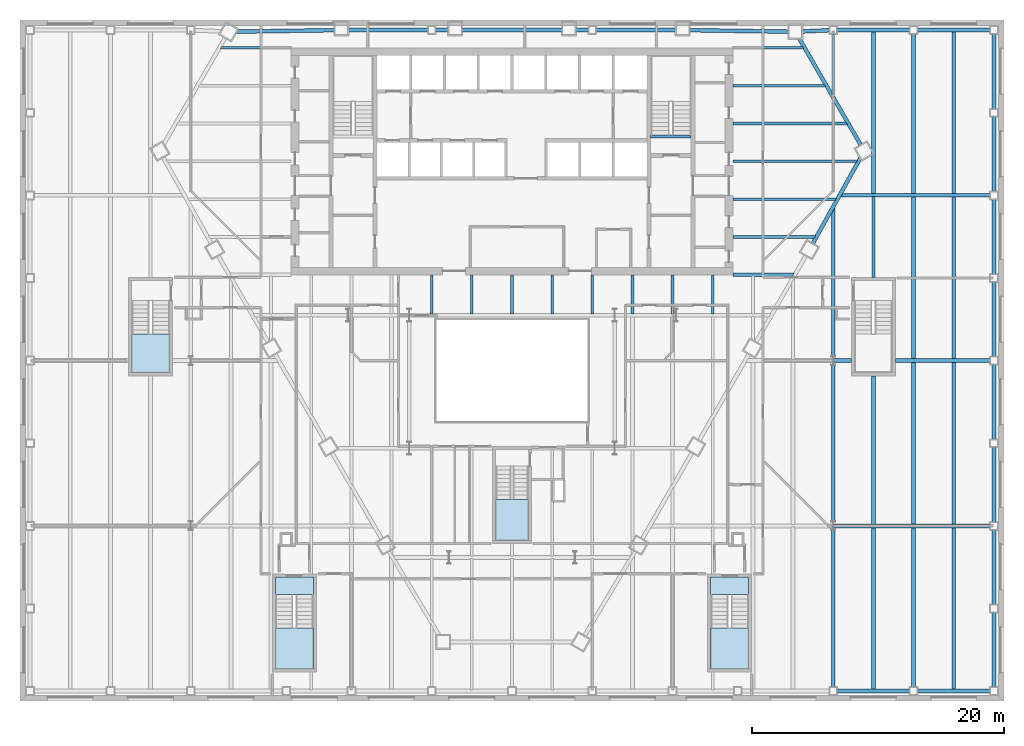
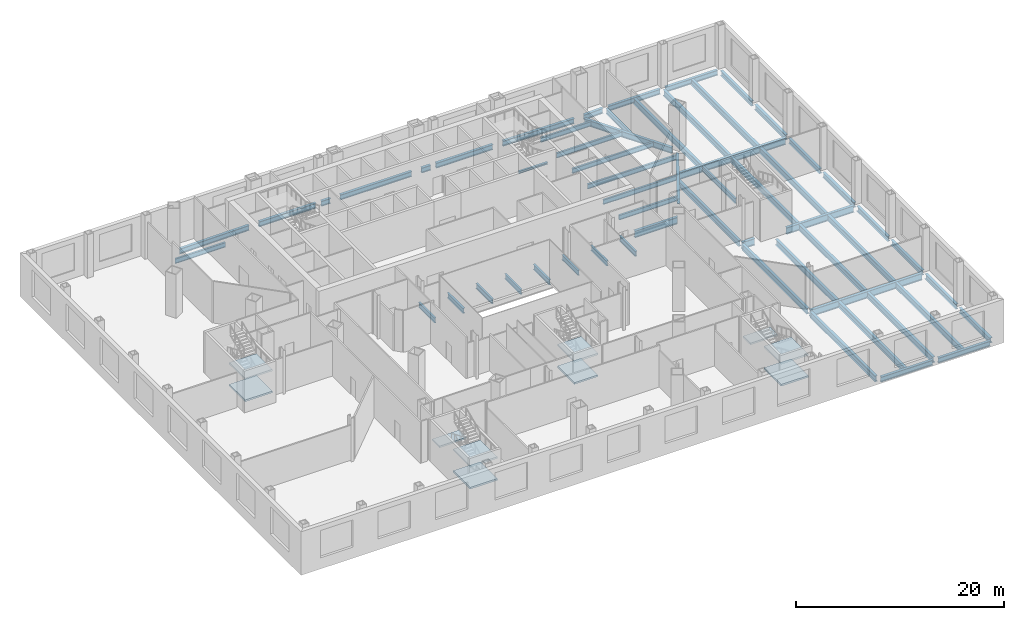
# One storey, part 6 of 20: 59 beams, 10 slabs, 4 elements without a shape of their own.
"""IFC4 building model written with IfcOpenShell, lengths in metres."""

import ifcopenshell
import ifcopenshell.guid

model = None  # the IFC model being written
_history = None  # IfcOwnerHistory: only IFC2X3 demands one
_inside = {}  # id of a spatial element -> (the spatial element, [elements in it])
_under = {}  # id of a project, library or spatial element -> (it, [spatial elements below it])
_declared = {}  # id of a project -> (the project, [libraries it declares])
_typed = {}  # id of a type object -> (the type object, [elements of that type])
_made_of = {}  # id of a material, layer set ... -> (it, [elements and type objects made of it])


def new_model(schema):
    """Start an empty IFC model of exactly this schema.

    Asked for "IFC4X3", IfcOpenShell would pick the latest addendum, in which some entities
    have other attributes; the version numbers below select the first issue.
    IFC2X3 requires an IfcOwnerHistory on every rooted entity: one is made here for all.
    """
    global model, _history
    if schema == "IFC4X3":
        model = ifcopenshell.file(schema_version=(4, 3, 0, 0))
    else:
        model = ifcopenshell.file(schema=schema)
    _inside.clear()
    _under.clear()
    _declared.clear()
    _typed.clear()
    _made_of.clear()
    _history = None
    if model.schema == "IFC2X3":
        org = make("IfcOrganization", Name="unknown")
        user = make(
            "IfcPersonAndOrganization",
            ThePerson=make("IfcPerson", FamilyName="unknown"),
            TheOrganization=org,
        )
        app = make(
            "IfcApplication",
            ApplicationDeveloper=org,
            Version="unknown",
            ApplicationFullName="unknown",
            ApplicationIdentifier="unknown",
        )
        _history = make(
            "IfcOwnerHistory",
            OwningUser=user,
            OwningApplication=app,
            ChangeAction="ADDED",
            CreationDate=0,
        )
    return model


def make(cls, **values):
    """One entity of the class cls with the attributes given. An attribute that is None is left unset."""
    return model.create_entity(
        cls, **{name: value for name, value in values.items() if value is not None}
    )


def rooted(cls, **values):
    """An entity with a GlobalId (a new one), such as an element, a storey or a relation."""
    return make(cls, GlobalId=ifcopenshell.guid.new(), OwnerHistory=_history, **values)


def si_unit(unit_type, name, prefix=None):
    """IfcSIUnit, for example si_unit("LENGTHUNIT", "METRE", prefix="MILLI")."""
    return make("IfcSIUnit", UnitType=unit_type, Prefix=prefix, Name=name)


def assignment(units):
    """IfcUnitAssignment: the units of a project."""
    return None if units is None else make("IfcUnitAssignment", Units=units)


def point(xyz):
    """IfcCartesianPoint."""
    return None if xyz is None else make("IfcCartesianPoint", Coordinates=xyz)


def direction(xyz):
    """IfcDirection."""
    return None if xyz is None else make("IfcDirection", DirectionRatios=xyz)


def frame(location, z_axis=None, x_axis=None):
    """IfcAxis2Placement3D, a coordinate frame: its origin and axes. An axis left out is left unset."""
    return make(
        "IfcAxis2Placement3D",
        Location=point(location),
        Axis=direction(z_axis),
        RefDirection=direction(x_axis),
    )


def frame_2d(location, x_axis=None):
    """IfcAxis2Placement2D, a coordinate frame in the plane: its origin and x axis."""
    return make(
        "IfcAxis2Placement2D", Location=point(location), RefDirection=direction(x_axis)
    )


def origin():
    """The frame at (0, 0, 0) with its axes left unset."""
    return frame((0.0, 0.0, 0.0))


def origin_2d():
    """The frame at (0, 0) in the plane with its x axis left unset."""
    return frame_2d((0.0, 0.0))


def place(relative_to, where):
    """IfcLocalPlacement: puts the frame where relative to a parent placement (None: the world)."""
    return make(
        "IfcLocalPlacement", PlacementRelTo=relative_to, RelativePlacement=where
    )


def context(
    kind, dimensions, precision=None, world=None, true_north=None, identifier=None
):
    """IfcGeometricRepresentationContext, for example the 3D "Model" context."""
    return make(
        "IfcGeometricRepresentationContext",
        ContextIdentifier=identifier,
        ContextType=kind,
        CoordinateSpaceDimension=dimensions,
        Precision=precision,
        WorldCoordinateSystem=world,
        TrueNorth=true_north,
    )


def subcontext(parent, identifier, kind, view, scale=None):
    """IfcGeometricRepresentationSubContext, for example "Body" below "Model"."""
    return make(
        "IfcGeometricRepresentationSubContext",
        ContextIdentifier=identifier,
        ContextType=kind,
        ParentContext=parent,
        TargetScale=scale,
        TargetView=view,
    )


def project(units=None, contexts=None):
    """IfcProject with its units and contexts."""
    return rooted(
        "IfcProject",
        Name="project",
        RepresentationContexts=contexts,
        UnitsInContext=assignment(units),
    )


def spatial(cls, under=None, at=None, **own):
    """A site, building, storey or space (cls), placed at a placement, below another one or the project."""
    s = rooted(cls, ObjectPlacement=at, **own)
    if under is not None:
        _under.setdefault(under.id(), (under, []))[1].append(s)
    return s


def polyline(points):
    """IfcPolyline through the points."""
    return make("IfcPolyline", Points=[point(p) for p in points])


def profile(cls, at=None, kind="AREA", **sizes):
    """A parametric profile (cls). Its sizes go by their IFC names, for example OverallWidth=200.0."""
    return make(cls, ProfileType=kind, Position=at, **sizes)


def i_section(**sizes):
    """IfcIShapeProfileDef."""
    return profile("IfcIShapeProfileDef", **sizes)


def outline(outer, holes=None, kind="AREA"):
    """IfcArbitraryClosedProfileDef: a profile drawn as a closed curve; with holes, ...WithVoids."""
    if holes is None:
        return make("IfcArbitraryClosedProfileDef", ProfileType=kind, OuterCurve=outer)
    return make(
        "IfcArbitraryProfileDefWithVoids",
        ProfileType=kind,
        OuterCurve=outer,
        InnerCurves=holes,
    )


def extrude(swept, where, along, depth):
    """IfcExtrudedAreaSolid: the profile swept, set in the frame where, extruded along a direction by depth."""
    return make(
        "IfcExtrudedAreaSolid",
        SweptArea=swept,
        Position=where,
        ExtrudedDirection=direction(along),
        Depth=depth,
    )


def clip(a, b, op="DIFFERENCE"):
    """IfcBooleanClippingResult: the solid a cut by the half space b."""
    return make(
        "IfcBooleanClippingResult", Operator=op, FirstOperand=a, SecondOperand=b
    )


def halfspace(plane, agree):
    """IfcHalfSpaceSolid: all space on one side of the plane z = 0 of the frame plane."""
    return make(
        "IfcHalfSpaceSolid",
        BaseSurface=make("IfcPlane", Position=plane),
        AgreementFlag=agree,
    )


def shape(context_of_items, identifier, shape_type, items):
    """IfcShapeRepresentation: the items that make up one representation, for example the "Body"."""
    return make(
        "IfcShapeRepresentation",
        ContextOfItems=context_of_items,
        RepresentationIdentifier=identifier,
        RepresentationType=shape_type,
        Items=items,
    )


def material(Name=None, Category=None):
    """IfcMaterial."""
    return make("IfcMaterial", Name=Name, Category=Category)


def layer(
    of_material, thickness, ventilated=None, Name=None, Category=None, Priority=None
):
    """IfcMaterialLayer: one layer of a wall or slab, of a material (None: an air gap)."""
    return make(
        "IfcMaterialLayer",
        Material=of_material,
        LayerThickness=thickness,
        IsVentilated=ventilated,
        Name=Name,
        Category=Category,
        Priority=Priority,
    )


def layer_set(layers, Name=None):
    """IfcMaterialLayerSet."""
    return make("IfcMaterialLayerSet", MaterialLayers=layers, LayerSetName=Name)


def material_profile(
    of_material, cross_section, Name=None, Category=None, Priority=None
):
    """IfcMaterialProfile: a cross section and its material."""
    return make(
        "IfcMaterialProfile",
        Name=Name,
        Material=of_material,
        Profile=cross_section,
        Priority=Priority,
        Category=Category,
    )


def profile_set(profiles, Name=None, composite=None):
    """IfcMaterialProfileSet."""
    return make(
        "IfcMaterialProfileSet",
        Name=Name,
        MaterialProfiles=profiles,
        CompositeProfile=composite,
    )


def made_of(thing, what):
    """Note that an element or type object is made of a material, layer set ...; save() writes the relation."""
    if what is not None:
        _made_of.setdefault(what.id(), (what, []))[1].append(thing)
    return thing


def type_object(cls, material=None, **own):
    """A type object (cls), such as IfcWallType, which elements share."""
    return made_of(rooted(cls, **own), material)


def element(
    cls,
    number,
    at=None,
    inside=None,
    cuts=None,
    type_object=None,
    material=None,
    context=None,
    identifier="Body",
    shape_type=None,
    held_by="IfcProductDefinitionShape",
    body=None,
    shapes=None,
    **own,
):
    """One element of the class cls, such as IfcWall. Its Tag is "e" and its number.

    at: its placement. inside: the storey or other place that contains it. cuts: it is an
    opening in that element (IfcRelVoidsElement). A single representation is given by context,
    identifier, shape_type and body (its items); several are given by shapes. held_by: the class
    of the entity that holds the representations. save() writes the other relations.
    """
    e = rooted(cls, Tag="e%d" % number, ObjectPlacement=at, **own)
    if body is not None:
        shapes = [shape(context, identifier, shape_type, body)]
    if shapes is not None:
        e.Representation = make(held_by, Representations=shapes)
    if inside is not None:
        _inside.setdefault(inside.id(), (inside, []))[1].append(e)
    if cuts is not None:
        rooted(
            "IfcRelVoidsElement", RelatingBuildingElement=cuts, RelatedOpeningElement=e
        )
    if type_object is not None:
        _typed.setdefault(type_object.id(), (type_object, []))[1].append(e)
    return made_of(e, material)


def aggregate(whole, parts):
    """IfcRelAggregates: a whole, such as a stair, and the parts it consists of."""
    return rooted("IfcRelAggregates", RelatingObject=whole, RelatedObjects=parts)


def save(model, path):
    """Write the relations noted so far, then the file.

    IfcRelAggregates (storeys below a building ...), IfcRelContainedInSpatialStructure (elements
    in a storey), IfcRelDefinesByType, IfcRelAssociatesMaterial and IfcRelDeclares: one each for
    every whole, place, type object, material and project.
    """
    for whole, parts in _under.values():
        aggregate(whole, parts)
    for where, things in _inside.values():
        rooted(
            "IfcRelContainedInSpatialStructure",
            RelatedElements=things,
            RelatingStructure=where,
        )
    for kind, things in _typed.values():
        rooted("IfcRelDefinesByType", RelatedObjects=things, RelatingType=kind)
    for what, things in _made_of.values():
        rooted("IfcRelAssociatesMaterial", RelatedObjects=things, RelatingMaterial=what)
    for by, libraries in _declared.values():
        rooted("IfcRelDeclares", RelatingContext=by, RelatedDefinitions=libraries)
    model.write(path)


model = new_model("IFC4")

# Units and contexts
model_context = context("Model", 3, precision=1e-05, world=origin(), true_north=direction((0.0, 1.0)))
body_context = subcontext(model_context, "Body", "Model", "MODEL_VIEW")
ifc_project = project(units=[si_unit("LENGTHUNIT", "METRE"), si_unit("AREAUNIT", "SQUARE_METRE"), si_unit("VOLUMEUNIT", "CUBIC_METRE"), si_unit("PLANEANGLEUNIT", "RADIAN"), si_unit("MASSUNIT", "GRAM", prefix="KILO")], contexts=[model_context])

# Site, building, storey
site_placement = place(None, origin())
site = spatial("IfcSite", under=ifc_project, at=site_placement, CompositionType="ELEMENT")
building_placement = place(site_placement, origin())
building = spatial("IfcBuilding", under=site, at=building_placement, Name="Njiva Tower", CompositionType="ELEMENT")
storey_placement = place(building_placement, frame((0.0, 0.0, 18.6)))
storey = spatial("IfcBuildingStorey", under=building, at=storey_placement, Name="L03", CompositionType="ELEMENT", Elevation=18.6)

# Beams
ifc_material_1 = material(Name="Steel S355 J2", Category="steel")
ifc_material_profile_1 = material_profile(ifc_material_1, i_section(OverallWidth=0.3, OverallDepth=0.69, WebThickness=0.0145, FlangeThickness=0.027, at=origin_2d()), Name="HEA 700")
ifc_profile_set_1 = profile_set([ifc_material_profile_1], Name="Steel S355 J2")
beam_type_1 = type_object("IfcBeamType", Name="B1 Long-span spandrel beam HEA 700", PredefinedType="SPANDREL", material=ifc_profile_set_1)
beam_1_placement = place(storey_placement, frame((27.648, 10.284, -0.565), z_axis=(-0.500015802937, 0.866016279763, 0.0), x_axis=(-0.866016279763, -0.500015802937, 0.0)))
element("IfcBeam", 1, at=beam_1_placement, inside=storey, type_object=beam_type_1, Name="Long-span spandrel beam L03-B173", PredefinedType="SPANDREL", context=body_context, shape_type="Clipping", body=[
    clip(extrude(i_section(OverallWidth=0.3, OverallDepth=0.69, WebThickness=0.0145, FlangeThickness=0.027, at=origin_2d()), origin(), (0.0, 0.0, 1.0), 9.8447), halfspace(frame((-0.0248, 0.0, 9.7234), z_axis=(-0.500015802937, 0.0, 0.866016279763), x_axis=(0.0, 1.0, 0.0)), False)),
])
ifc_material_profile_2 = material_profile(ifc_material_1, i_section(OverallWidth=0.21, OverallDepth=0.55, WebThickness=0.0111, FlangeThickness=0.0172, at=origin_2d()), Name="IPE 550")
ifc_profile_set_2 = profile_set([ifc_material_profile_2], Name="Steel S355 J2")
beam_type_2 = type_object("IfcBeamType", Name="B10 Floor beam to the core IPE 550", PredefinedType="BEAM", material=ifc_profile_set_2)
beam_2_placement = place(storey_placement, frame((17.5, 3.0, -0.495), z_axis=(1.0, 0.0, 0.0), x_axis=(0.0, 1.0, 0.0)))
element("IfcBeam", 2, at=beam_2_placement, inside=storey, type_object=beam_type_2, Name="Floor beam to the core L03-B007", PredefinedType="BEAM", context=body_context, shape_type="Clipping", body=[
    clip(extrude(i_section(OverallWidth=0.21, OverallDepth=0.55, WebThickness=0.0111, FlangeThickness=0.0172, at=origin_2d()), origin(), (0.0, 0.0, 1.0), 6.591), halfspace(frame((-0.0244, 0.0, 6.4981), z_axis=(-0.487051738924, 0.0, 0.87337311821), x_axis=(0.0, 1.0, 0.0)), False)),
])
beam_3_placement = place(storey_placement, frame((17.5, 6.0, -0.495), z_axis=(1.0, 0.0, 0.0), x_axis=(0.0, 1.0, 0.0)))
element("IfcBeam", 3, at=beam_3_placement, inside=storey, type_object=beam_type_2, Name="Floor beam to the core L03-B008", PredefinedType="BEAM", context=body_context, shape_type="Clipping", body=[
    clip(extrude(i_section(OverallWidth=0.21, OverallDepth=0.55, WebThickness=0.0111, FlangeThickness=0.0172, at=origin_2d()), origin(), (0.0, 0.0, 1.0), 8.264), halfspace(frame((-0.0244, 0.0, 8.171), z_axis=(-0.487051738924, 0.0, 0.87337311821), x_axis=(0.0, 1.0, 0.0)), False)),
])
beam_4_placement = place(storey_placement, frame((17.5, 12.0, -0.495), z_axis=(1.0, 0.0, 0.0), x_axis=(0.0, 1.0, 0.0)))
element("IfcBeam", 4, at=beam_4_placement, inside=storey, type_object=beam_type_2, Name="Floor beam to the core L03-B010", PredefinedType="BEAM", context=body_context, shape_type="Clipping", body=[
    clip(extrude(i_section(OverallWidth=0.21, OverallDepth=0.55, WebThickness=0.0111, FlangeThickness=0.0172, at=origin_2d()), origin(), (0.0, 0.0, 1.0), 9.122), halfspace(frame((0.025, 0.0, 9.0269), z_axis=(0.499998009787, 0.0, 0.866026552831), x_axis=(0.0, 1.0, 0.0)), False)),
])
beam_5_placement = place(storey_placement, frame((17.5, 15.0, -0.495), z_axis=(1.0, 0.0, 0.0), x_axis=(0.0, 1.0, 0.0)))
element("IfcBeam", 5, at=beam_5_placement, inside=storey, type_object=beam_type_2, Name="Floor beam to the core L03-B011", PredefinedType="BEAM", context=body_context, shape_type="Clipping", body=[
    clip(extrude(i_section(OverallWidth=0.21, OverallDepth=0.55, WebThickness=0.0111, FlangeThickness=0.0172, at=origin_2d()), origin(), (0.0, 0.0, 1.0), 7.39), halfspace(frame((0.025, 0.0, 7.2949), z_axis=(0.499998009787, 0.0, 0.866026552831), x_axis=(0.0, 1.0, 0.0)), False)),
])
beam_6_placement = place(storey_placement, frame((-23.158, 18.0, -0.495), z_axis=(1.0, 0.0, 0.0), x_axis=(0.0, 1.0, 0.0)))
element("IfcBeam", 6, at=beam_6_placement, inside=storey, type_object=beam_type_2, Name="Floor beam to the core L03-B006", PredefinedType="BEAM", context=body_context, shape_type="Clipping", body=[
    clip(extrude(i_section(OverallWidth=0.21, OverallDepth=0.55, WebThickness=0.0111, FlangeThickness=0.0172, at=origin_2d()), origin(), (0.0, 0.0, 1.0), 5.658), halfspace(frame((0.025, 0.0, 0.0952), z_axis=(0.499998009787, 0.0, -0.866026552831), x_axis=(0.0, -1.0, 0.0)), False)),
])
beam_7_placement = place(storey_placement, frame((17.5, 18.0, -0.495), z_axis=(1.0, 0.0, 0.0), x_axis=(0.0, 1.0, 0.0)))
element("IfcBeam", 7, at=beam_7_placement, inside=storey, type_object=beam_type_2, Name="Floor beam to the core L03-B012", PredefinedType="BEAM", context=body_context, shape_type="Clipping", body=[
    clip(extrude(i_section(OverallWidth=0.21, OverallDepth=0.55, WebThickness=0.0111, FlangeThickness=0.0172, at=origin_2d()), origin(), (0.0, 0.0, 1.0), 5.658), halfspace(frame((0.025, 0.0, 5.5628), z_axis=(0.499998009787, 0.0, 0.866026552831), x_axis=(0.0, 1.0, 0.0)), False)),
])
ifc_material_profile_3 = material_profile(ifc_material_1, i_section(OverallWidth=0.21, OverallDepth=0.55, WebThickness=0.0111, FlangeThickness=0.0172, at=origin_2d()), Name="IPE 550")
ifc_profile_set_3 = profile_set([ifc_material_profile_3], Name="Steel S355 J2")
beam_type_3 = type_object("IfcBeamType", Name="B11 Long-span floor beam to the core IPE 550", PredefinedType="BEAM", material=ifc_profile_set_3)
beam_8_placement = place(storey_placement, frame((17.5, 9.0, -0.495), z_axis=(1.0, 0.0, 0.0), x_axis=(0.0, 1.0, 0.0)))
element("IfcBeam", 8, at=beam_8_placement, inside=storey, type_object=beam_type_3, Name="Long-span floor beam to the core L03-B009", PredefinedType="BEAM", context=body_context, shape_type="Clipping", body=[
    clip(extrude(i_section(OverallWidth=0.21, OverallDepth=0.55, WebThickness=0.0111, FlangeThickness=0.0172, at=origin_2d()), origin(), (0.0, 0.0, 1.0), 9.937), halfspace(frame((-0.0244, 0.0, 9.844), z_axis=(-0.487051738924, 0.0, 0.87337311821), x_axis=(0.0, 1.0, 0.0)), False)),
])
ifc_material_profile_4 = material_profile(ifc_material_1, i_section(OverallWidth=0.3, OverallDepth=0.69, WebThickness=0.0145, FlangeThickness=0.027, at=origin_2d()), Name="HEA 700")
ifc_profile_set_4 = profile_set([ifc_material_profile_4], Name="Steel S355 J2")
beam_type_4 = type_object("IfcBeamType", Name="B12 Long-span floor joist HEA 700", PredefinedType="JOIST", material=ifc_profile_set_4)
beam_9_placement = place(storey_placement, frame((25.467, 5.288, -0.565), z_axis=(0.0, -1.0, 0.0), x_axis=(1.0, 0.0, 0.0)))
element("IfcBeam", 9, at=beam_9_placement, inside=storey, type_object=beam_type_4, Name="Long-span floor joist L03-B116", PredefinedType="JOIST", context=body_context, shape_type="SweptSolid", body=[
    extrude(i_section(OverallWidth=0.3, OverallDepth=0.69, WebThickness=0.0145, FlangeThickness=0.027, at=origin_2d()), origin(), (0.0, 0.0, 1.0), 11.78),
])
beam_10_placement = place(storey_placement, frame((25.467, -7.108, -0.565), z_axis=(0.0, -1.0, 0.0), x_axis=(1.0, 0.0, 0.0)))
element("IfcBeam", 10, at=beam_10_placement, inside=storey, type_object=beam_type_4, Name="Long-span floor joist L03-B115", PredefinedType="JOIST", context=body_context, shape_type="SweptSolid", body=[
    extrude(i_section(OverallWidth=0.3, OverallDepth=0.69, WebThickness=0.0145, FlangeThickness=0.027, at=origin_2d()), origin(), (0.0, 0.0, 1.0), 12.484),
])
beam_11_placement = place(storey_placement, frame((25.467, -20.208, -0.565), z_axis=(0.0, -1.0, 0.0), x_axis=(1.0, 0.0, 0.0)))
element("IfcBeam", 11, at=beam_11_placement, inside=storey, type_object=beam_type_4, Name="Long-span floor joist L03-B114", PredefinedType="JOIST", context=body_context, shape_type="SweptSolid", body=[
    extrude(i_section(OverallWidth=0.3, OverallDepth=0.69, WebThickness=0.0145, FlangeThickness=0.027, at=origin_2d()), origin(), (0.0, 0.0, 1.0), 12.492),
])
beam_12_placement = place(storey_placement, frame((28.65, 19.3, -0.565), z_axis=(0.0, -1.0, 0.0), x_axis=(1.0, 0.0, 0.0)))
element("IfcBeam", 12, at=beam_12_placement, inside=storey, type_object=beam_type_4, Name="Long-span floor joist L03-B121", PredefinedType="JOIST", context=body_context, shape_type="SweptSolid", body=[
    extrude(i_section(OverallWidth=0.3, OverallDepth=0.69, WebThickness=0.0145, FlangeThickness=0.027, at=origin_2d()), origin(), (0.0, 0.0, 1.0), 12.9),
])
beam_13_placement = place(storey_placement, frame((28.65, -8.0, -0.565), z_axis=(0.0, -1.0, 0.0), x_axis=(1.0, 0.0, 0.0)))
element("IfcBeam", 13, at=beam_13_placement, inside=storey, type_object=beam_type_4, Name="Long-span floor joist L03-B119", PredefinedType="JOIST", context=body_context, shape_type="SweptSolid", body=[
    extrude(i_section(OverallWidth=0.3, OverallDepth=0.69, WebThickness=0.0145, FlangeThickness=0.027, at=origin_2d()), origin(), (0.0, 0.0, 1.0), 11.8),
])
beam_14_placement = place(storey_placement, frame((28.65, -20.0, -0.565), z_axis=(0.0, -1.0, 0.0), x_axis=(1.0, 0.0, 0.0)))
element("IfcBeam", 14, at=beam_14_placement, inside=storey, type_object=beam_type_4, Name="Long-span floor joist L03-B118", PredefinedType="JOIST", context=body_context, shape_type="SweptSolid", body=[
    extrude(i_section(OverallWidth=0.3, OverallDepth=0.69, WebThickness=0.0145, FlangeThickness=0.027, at=origin_2d()), origin(), (0.0, 0.0, 1.0), 12.9),
])
beam_15_placement = place(storey_placement, frame((31.833, 19.1, -0.565), z_axis=(0.0, -1.0, 0.0), x_axis=(1.0, 0.0, 0.0)))
element("IfcBeam", 15, at=beam_15_placement, inside=storey, type_object=beam_type_4, Name="Long-span floor joist L03-B125", PredefinedType="JOIST", context=body_context, shape_type="SweptSolid", body=[
    extrude(i_section(OverallWidth=0.3, OverallDepth=0.69, WebThickness=0.0145, FlangeThickness=0.027, at=origin_2d()), origin(), (0.0, 0.0, 1.0), 12.7),
])
for number, where, z_axis, x_axis, name in (
    (16, (31.833, 6.2, -0.565), (0.0, -1.0, 0.0), (1.0, 0.0, 0.0), "Long-span floor joist L03-B124"),
    (17, (31.833, -6.9, -0.565), (0.0, -1.0, 0.0), (1.0, 0.0, 0.0), "Long-span floor joist L03-B123"),
):
    element("IfcBeam", number, at=place(storey_placement, frame(where, z_axis=z_axis, x_axis=x_axis)), inside=storey, type_object=beam_type_4, Name=name, PredefinedType="JOIST", context=body_context, shape_type="SweptSolid", body=[
        extrude(i_section(OverallWidth=0.3, OverallDepth=0.69, WebThickness=0.0145, FlangeThickness=0.027, at=origin_2d()), origin(), (0.0, 0.0, 1.0), 12.9),
    ])
beam_16_placement = place(storey_placement, frame((31.833, -20.0, -0.565), z_axis=(0.0, -1.0, 0.0), x_axis=(1.0, 0.0, 0.0)))
element("IfcBeam", 18, at=beam_16_placement, inside=storey, type_object=beam_type_4, Name="Long-span floor joist L03-B122", PredefinedType="JOIST", context=body_context, shape_type="SweptSolid", body=[
    extrude(i_section(OverallWidth=0.3, OverallDepth=0.69, WebThickness=0.0145, FlangeThickness=0.027, at=origin_2d()), origin(), (0.0, 0.0, 1.0), 12.7),
])
for number, where, z_axis, x_axis, name in (
    (19, (35.017, 19.3, -0.565), (0.0, -1.0, 0.0), (1.0, 0.0, 0.0), "Long-span floor joist L03-B129"),
    (20, (35.017, 6.2, -0.565), (0.0, -1.0, 0.0), (1.0, 0.0, 0.0), "Long-span floor joist L03-B128"),
    (21, (35.017, -6.9, -0.565), (0.0, -1.0, 0.0), (1.0, 0.0, 0.0), "Long-span floor joist L03-B127"),
    (22, (35.017, -20.0, -0.565), (0.0, -1.0, 0.0), (1.0, 0.0, 0.0), "Long-span floor joist L03-B126"),
):
    element("IfcBeam", number, at=place(storey_placement, frame(where, z_axis=z_axis, x_axis=x_axis)), inside=storey, type_object=beam_type_4, Name=name, PredefinedType="JOIST", context=body_context, shape_type="SweptSolid", body=[
        extrude(i_section(OverallWidth=0.3, OverallDepth=0.69, WebThickness=0.0145, FlangeThickness=0.027, at=origin_2d()), origin(), (0.0, 0.0, 1.0), 12.9),
    ])
ifc_material_profile_5 = material_profile(ifc_material_1, i_section(OverallWidth=0.22, OverallDepth=0.6, WebThickness=0.012, FlangeThickness=0.019, at=origin_2d()), Name="IPE 600")
ifc_profile_set_5 = profile_set([ifc_material_profile_5], Name="Steel S355 J2")
beam_type_5 = type_object("IfcBeamType", Name="B13 Floor joist IPE 600", PredefinedType="JOIST", material=ifc_profile_set_5)
beam_17_placement = place(storey_placement, frame((25.467, 19.1, -0.52), z_axis=(0.0, -1.0, 0.0), x_axis=(1.0, 0.0, 0.0)))
element("IfcBeam", 23, at=beam_17_placement, inside=storey, type_object=beam_type_5, Name="Floor joist L03-B117", PredefinedType="JOIST", context=body_context, shape_type="SweptSolid", body=[
    extrude(i_section(OverallWidth=0.22, OverallDepth=0.6, WebThickness=0.012, FlangeThickness=0.019, at=origin_2d()), origin(), (0.0, 0.0, 1.0), 4.772),
])
beam_18_placement = place(storey_placement, frame((28.65, 6.2, -0.52), z_axis=(0.0, -1.0, 0.0), x_axis=(1.0, 0.0, 0.0)))
element("IfcBeam", 24, at=beam_18_placement, inside=storey, type_object=beam_type_5, Name="Floor joist L03-B120", PredefinedType="JOIST", context=body_context, shape_type="SweptSolid", body=[
    extrude(i_section(OverallWidth=0.22, OverallDepth=0.6, WebThickness=0.012, FlangeThickness=0.019, at=origin_2d()), origin(), (0.0, 0.0, 1.0), 6.4),
])
ifc_material_profile_6 = material_profile(ifc_material_1, i_section(OverallWidth=0.22, OverallDepth=0.6, WebThickness=0.012, FlangeThickness=0.019, at=origin_2d()), Name="IPE 600")
ifc_profile_set_6 = profile_set([ifc_material_profile_6], Name="Steel S355 J2")
beam_type_6 = type_object("IfcBeamType", Name="B14 Short-span floor joist IPE 600", PredefinedType="JOIST", material=ifc_profile_set_6)
for number, where, z_axis, x_axis, name in (
    (25, (-6.367, -0.005, -0.52), (0.0, -1.0, 0.0), (1.0, 0.0, 0.0), "Short-span floor joist L03-B076"),
    (26, (-3.183, -0.005, -0.52), (0.0, -1.0, 0.0), (1.0, 0.0, 0.0), "Short-span floor joist L03-B080"),
    (27, (0.0, -0.005, -0.52), (0.0, -1.0, 0.0), (1.0, 0.0, 0.0), "Short-span floor joist L03-B084"),
    (28, (3.183, -0.005, -0.52), (0.0, -1.0, 0.0), (1.0, 0.0, 0.0), "Short-span floor joist L03-B088"),
    (29, (6.367, -0.005, -0.52), (0.0, -1.0, 0.0), (1.0, 0.0, 0.0), "Short-span floor joist L03-B092"),
):
    element("IfcBeam", number, at=place(storey_placement, frame(where, z_axis=z_axis, x_axis=x_axis)), inside=storey, type_object=beam_type_6, Name=name, PredefinedType="JOIST", context=body_context, shape_type="SweptSolid", body=[
        extrude(i_section(OverallWidth=0.22, OverallDepth=0.6, WebThickness=0.012, FlangeThickness=0.019, at=origin_2d()), origin(), (0.0, 0.0, 1.0), 3.094),
    ])
for number, where, z_axis, x_axis, name in (
    (30, (9.55, -0.005, -0.52), (0.0, -1.0, 0.0), (1.0, 0.0, 0.0), "Short-span floor joist L03-B096"),
    (31, (12.733, -0.005, -0.52), (0.0, -1.0, 0.0), (1.0, 0.0, 0.0), "Short-span floor joist L03-B101"),
    (32, (15.917, -0.005, -0.52), (0.0, -1.0, 0.0), (1.0, 0.0, 0.0), "Short-span floor joist L03-B106"),
):
    element("IfcBeam", number, at=place(storey_placement, frame(where, z_axis=z_axis, x_axis=x_axis)), inside=storey, type_object=beam_type_6, Name=name, PredefinedType="JOIST", context=body_context, shape_type="SweptSolid", body=[
        extrude(i_section(OverallWidth=0.22, OverallDepth=0.6, WebThickness=0.012, FlangeThickness=0.019, at=origin_2d()), origin(), (0.0, 0.0, 1.0), 3.095),
    ])
ifc_material_profile_7 = material_profile(ifc_material_1, i_section(OverallWidth=0.3, OverallDepth=0.6, WebThickness=0.0155, FlangeThickness=0.03, at=origin_2d()), Name="HEB 600")
ifc_profile_set_7 = profile_set([ifc_material_profile_7], Name="Steel S355 J2")
beam_type_7 = type_object("IfcBeamType", Name="B2 Spandrel beam HEB 600", PredefinedType="SPANDREL", material=ifc_profile_set_7)
beam_19_placement = place(storey_placement, frame((23.837, 2.482, -0.52), z_axis=(0.487077780218, 0.873358595319, 0.0), x_axis=(-0.873358595319, 0.487077780218, 0.0)))
element("IfcBeam", 33, at=beam_19_placement, inside=storey, type_object=beam_type_7, Name="Spandrel beam L03-B175", PredefinedType="SPANDREL", context=body_context, shape_type="Clipping", body=[
    clip(extrude(i_section(OverallWidth=0.3, OverallDepth=0.6, WebThickness=0.0155, FlangeThickness=0.03, at=origin_2d()), origin(), (0.0, 0.0, 1.0), 7.8582), halfspace(frame((-0.0257, 0.0, 7.7326), z_axis=(-0.51281381297, 0.0, 0.858499850453), x_axis=(0.0, 1.0, 0.0)), False)),
])
for number, where, z_axis, x_axis, name in (
    (34, (38.2, -32.7, -0.52), (0.0, 1.0, 0.0), (-1.0, 0.0, 0.0), "Spandrel beam L03-B180"),
    (35, (38.2, -26.15, -0.52), (0.0, 1.0, 0.0), (-1.0, 0.0, 0.0), "Spandrel beam L03-B181"),
    (36, (38.2, -19.6, -0.52), (0.0, 1.0, 0.0), (-1.0, 0.0, 0.0), "Spandrel beam L03-B182"),
    (37, (38.2, -13.05, -0.52), (0.0, 1.0, 0.0), (-1.0, 0.0, 0.0), "Spandrel beam L03-B183"),
    (38, (38.2, -6.5, -0.52), (0.0, 1.0, 0.0), (-1.0, 0.0, 0.0), "Spandrel beam L03-B184"),
    (39, (38.2, 0.05, -0.52), (0.0, 1.0, 0.0), (-1.0, 0.0, 0.0), "Spandrel beam L03-B185"),
    (40, (38.2, 6.6, -0.52), (0.0, 1.0, 0.0), (-1.0, 0.0, 0.0), "Spandrel beam L03-B186"),
    (41, (38.2, 13.15, -0.52), (0.0, 1.0, 0.0), (-1.0, 0.0, 0.0), "Spandrel beam L03-B187"),
):
    element("IfcBeam", number, at=place(storey_placement, frame(where, z_axis=z_axis, x_axis=x_axis)), inside=storey, type_object=beam_type_7, Name=name, PredefinedType="SPANDREL", context=body_context, shape_type="SweptSolid", body=[
        extrude(i_section(OverallWidth=0.3, OverallDepth=0.6, WebThickness=0.0155, FlangeThickness=0.03, at=origin_2d()), origin(), (0.0, 0.0, 1.0), 5.95),
    ])
beam_20_placement = place(storey_placement, frame((25.767, -33.0, -0.52), z_axis=(1.0, 0.0, 0.0), x_axis=(0.0, 1.0, 0.0)))
element("IfcBeam", 42, at=beam_20_placement, inside=storey, type_object=beam_type_7, Name="Spandrel beam L03-B176", PredefinedType="SPANDREL", context=body_context, shape_type="SweptSolid", body=[
    extrude(i_section(OverallWidth=0.3, OverallDepth=0.6, WebThickness=0.0155, FlangeThickness=0.03, at=origin_2d()), origin(), (0.0, 0.0, 1.0), 5.766),
])
beam_21_placement = place(storey_placement, frame((32.133, -33.0, -0.52), z_axis=(1.0, 0.0, 0.0), x_axis=(0.0, 1.0, 0.0)))
element("IfcBeam", 43, at=beam_21_placement, inside=storey, type_object=beam_type_7, Name="Spandrel beam L03-B178", PredefinedType="SPANDREL", context=body_context, shape_type="SweptSolid", body=[
    extrude(i_section(OverallWidth=0.3, OverallDepth=0.6, WebThickness=0.0155, FlangeThickness=0.03, at=origin_2d()), origin(), (0.0, 0.0, 1.0), 5.767),
])
beam_22_placement = place(storey_placement, frame((-21.93, 19.2744, -0.52), z_axis=(0.99988785754, 0.014975725174, 0.0), x_axis=(-0.014975725174, 0.99988785754, 0.0)))
element("IfcBeam", 44, at=beam_22_placement, inside=storey, type_object=beam_type_7, Name="Spandrel beam L03-B151", PredefinedType="SPANDREL", context=body_context, shape_type="Clipping", body=[
    clip(extrude(i_section(OverallWidth=0.3, OverallDepth=0.6, WebThickness=0.0155, FlangeThickness=0.03, at=origin_2d()), origin(), (0.0, 0.0, 1.0), 7.8559), halfspace(frame((0.0261, 0.0, 0.1249), z_axis=(0.512911314429, 0.0, -0.858441601701), x_axis=(0.0, -1.0, 0.0)), False)),
])
beam_23_placement = place(storey_placement, frame((-12.973, 19.4, -0.52), z_axis=(1.0, 0.0, 0.0), x_axis=(0.0, 1.0, 0.0)))
element("IfcBeam", 45, at=beam_23_placement, inside=storey, type_object=beam_type_7, Name="Spandrel beam L03-B155", PredefinedType="SPANDREL", context=body_context, shape_type="SweptSolid", body=[
    extrude(i_section(OverallWidth=0.3, OverallDepth=0.6, WebThickness=0.0155, FlangeThickness=0.03, at=origin_2d()), origin(), (0.0, 0.0, 1.0), 6.306),
])
beam_24_placement = place(storey_placement, frame((-3.958, 19.4, -0.52), z_axis=(1.0, 0.0, 0.0), x_axis=(0.0, 1.0, 0.0)))
element("IfcBeam", 46, at=beam_24_placement, inside=storey, type_object=beam_type_7, Name="Spandrel beam L03-B161", PredefinedType="SPANDREL", context=body_context, shape_type="SweptSolid", body=[
    extrude(i_section(OverallWidth=0.3, OverallDepth=0.6, WebThickness=0.0155, FlangeThickness=0.03, at=origin_2d()), origin(), (0.0, 0.0, 1.0), 7.916),
])
beam_25_placement = place(storey_placement, frame((6.667, 19.4, -0.52), z_axis=(1.0, 0.0, 0.0), x_axis=(0.0, 1.0, 0.0)))
element("IfcBeam", 47, at=beam_25_placement, inside=storey, type_object=beam_type_7, Name="Spandrel beam L03-B166", PredefinedType="SPANDREL", context=body_context, shape_type="SweptSolid", body=[
    extrude(i_section(OverallWidth=0.3, OverallDepth=0.6, WebThickness=0.0155, FlangeThickness=0.03, at=origin_2d()), origin(), (0.0, 0.0, 1.0), 6.306),
])
beam_26_placement = place(storey_placement, frame((14.075, 19.392, -0.52), z_axis=(0.999888493047, -0.014933233812, 0.0), x_axis=(0.014933233812, 0.999888493047, 0.0)))
element("IfcBeam", 48, at=beam_26_placement, inside=storey, type_object=beam_type_7, Name="Spandrel beam L03-B169", PredefinedType="SPANDREL", context=body_context, shape_type="SweptSolid", body=[
    extrude(i_section(OverallWidth=0.3, OverallDepth=0.6, WebThickness=0.0155, FlangeThickness=0.03, at=origin_2d()), origin(), (0.0, 0.0, 1.0), 7.8349),
])
beam_27_placement = place(storey_placement, frame((25.767, 19.4, -0.52), z_axis=(1.0, 0.0, 0.0), x_axis=(0.0, 1.0, 0.0)))
element("IfcBeam", 49, at=beam_27_placement, inside=storey, type_object=beam_type_7, Name="Spandrel beam L03-B177", PredefinedType="SPANDREL", context=body_context, shape_type="SweptSolid", body=[
    extrude(i_section(OverallWidth=0.3, OverallDepth=0.6, WebThickness=0.0155, FlangeThickness=0.03, at=origin_2d()), origin(), (0.0, 0.0, 1.0), 5.766),
])
beam_28_placement = place(storey_placement, frame((32.133, 19.4, -0.52), z_axis=(1.0, 0.0, 0.0), x_axis=(0.0, 1.0, 0.0)))
element("IfcBeam", 50, at=beam_28_placement, inside=storey, type_object=beam_type_7, Name="Spandrel beam L03-B179", PredefinedType="SPANDREL", context=body_context, shape_type="SweptSolid", body=[
    extrude(i_section(OverallWidth=0.3, OverallDepth=0.6, WebThickness=0.0155, FlangeThickness=0.03, at=origin_2d()), origin(), (0.0, 0.0, 1.0), 5.767),
])
ifc_material_profile_8 = material_profile(ifc_material_1, i_section(OverallWidth=0.3, OverallDepth=0.6, WebThickness=0.0155, FlangeThickness=0.03, at=origin_2d()), Name="HEB 600")
ifc_profile_set_8 = profile_set([ifc_material_profile_8], Name="Steel S355 J2")
beam_type_8 = type_object("IfcBeamType", Name="B3 Short-span spandrel beam HEB 600", PredefinedType="SPANDREL", material=ifc_profile_set_8)
for number, where, z_axis, x_axis, name in (
    (51, (-6.067, 19.4, -0.52), (1.0, 0.0, 0.0), (0.0, 1.0, 0.0), "Short-span spandrel beam L03-B159"),
    (52, (5.058, 19.4, -0.52), (1.0, 0.0, 0.0), (0.0, 1.0, 0.0), "Short-span spandrel beam L03-B163"),
):
    element("IfcBeam", number, at=place(storey_placement, frame(where, z_axis=z_axis, x_axis=x_axis)), inside=storey, type_object=beam_type_8, Name=name, PredefinedType="SPANDREL", context=body_context, shape_type="SweptSolid", body=[
        extrude(i_section(OverallWidth=0.3, OverallDepth=0.6, WebThickness=0.0155, FlangeThickness=0.03, at=origin_2d()), origin(), (0.0, 0.0, 1.0), 1.009),
    ])
beam_29_placement = place(storey_placement, frame((23.017, 19.291, -0.52), z_axis=(0.999019768344, 0.04426626772, 0.0), x_axis=(-0.04426626772, 0.999019768344, 0.0)))
element("IfcBeam", 53, at=beam_29_placement, inside=storey, type_object=beam_type_8, Name="Short-span spandrel beam L03-B174", PredefinedType="SPANDREL", context=body_context, shape_type="SweptSolid", body=[
    extrude(i_section(OverallWidth=0.3, OverallDepth=0.6, WebThickness=0.0155, FlangeThickness=0.03, at=origin_2d()), origin(), (0.0, 0.0, 1.0), 2.1461),
])
ifc_material_profile_9 = material_profile(ifc_material_1, i_section(OverallWidth=0.3, OverallDepth=0.79, WebThickness=0.015, FlangeThickness=0.028, at=origin_2d()), Name="HEA 800")
ifc_profile_set_9 = profile_set([ifc_material_profile_9], Name="Steel S355 J2")
beam_type_9 = type_object("IfcBeamType", Name="B4 Floor girder HEA 800", PredefinedType="BEAM", material=ifc_profile_set_9)
beam_30_placement = place(storey_placement, frame((17.5, 0.0, -0.615), z_axis=(1.0, 0.0, 0.0), x_axis=(0.0, 1.0, 0.0)))
element("IfcBeam", 54, at=beam_30_placement, inside=storey, type_object=beam_type_9, Name="Floor girder L03-B030", PredefinedType="BEAM", context=body_context, shape_type="Clipping", body=[
    clip(extrude(i_section(OverallWidth=0.3, OverallDepth=0.79, WebThickness=0.015, FlangeThickness=0.028, at=origin_2d()), origin(), (0.0, 0.0, 1.0), 4.905), halfspace(frame((-0.025, 0.0, 4.7839), z_axis=(-0.499998009787, 0.0, 0.866026552831), x_axis=(0.0, 1.0, 0.0)), False)),
])
beam_31_placement = place(storey_placement, frame((30.4, -6.8, -0.615), z_axis=(1.0, 0.0, 0.0), x_axis=(0.0, 1.0, 0.0)))
element("IfcBeam", 55, at=beam_31_placement, inside=storey, type_object=beam_type_9, Name="Floor girder L03-B035", PredefinedType="BEAM", context=body_context, shape_type="SweptSolid", body=[
    extrude(i_section(OverallWidth=0.3, OverallDepth=0.79, WebThickness=0.015, FlangeThickness=0.028, at=origin_2d()), origin(), (0.0, 0.0, 1.0), 7.5),
])
ifc_material_profile_10 = material_profile(ifc_material_1, i_section(OverallWidth=0.3, OverallDepth=0.79, WebThickness=0.015, FlangeThickness=0.028, at=origin_2d()), Name="HEA 800")
ifc_profile_set_10 = profile_set([ifc_material_profile_10], Name="Steel S355 J2")
beam_type_10 = type_object("IfcBeamType", Name="B5 Short-span floor girder HEA 800", PredefinedType="BEAM", material=ifc_profile_set_10)
beam_32_placement = place(storey_placement, frame((25.467, -6.8, -0.615), z_axis=(1.0, 0.0, 0.0), x_axis=(0.0, 1.0, 0.0)))
element("IfcBeam", 56, at=beam_32_placement, inside=storey, type_object=beam_type_10, Name="Short-span floor girder L03-B033", PredefinedType="BEAM", context=body_context, shape_type="SweptSolid", body=[
    extrude(i_section(OverallWidth=0.3, OverallDepth=0.79, WebThickness=0.015, FlangeThickness=0.028, at=origin_2d()), origin(), (0.0, 0.0, 1.0), 1.433),
])
ifc_material_profile_11 = material_profile(ifc_material_1, i_section(OverallWidth=0.3, OverallDepth=0.79, WebThickness=0.015, FlangeThickness=0.028, at=origin_2d()), Name="HEA 800")
ifc_profile_set_11 = profile_set([ifc_material_profile_11], Name="Steel S355 J2")
beam_type_11 = type_object("IfcBeamType", Name="B6 Long-span floor girder HEA 800", PredefinedType="BEAM", material=ifc_profile_set_11)
beam_33_placement = place(storey_placement, frame((26.035, 6.3, -0.615), z_axis=(1.0, 0.0, 0.0), x_axis=(0.0, 1.0, 0.0)))
element("IfcBeam", 57, at=beam_33_placement, inside=storey, type_object=beam_type_11, Name="Long-span floor girder L03-B034", PredefinedType="BEAM", context=body_context, shape_type="SweptSolid", body=[
    extrude(i_section(OverallWidth=0.3, OverallDepth=0.79, WebThickness=0.015, FlangeThickness=0.028, at=origin_2d()), origin(), (0.0, 0.0, 1.0), 11.865),
])
beam_34_placement = place(storey_placement, frame((25.467, -19.9, -0.615), z_axis=(1.0, 0.0, 0.0), x_axis=(0.0, 1.0, 0.0)))
element("IfcBeam", 58, at=beam_34_placement, inside=storey, type_object=beam_type_11, Name="Long-span floor girder L03-B032", PredefinedType="BEAM", context=body_context, shape_type="SweptSolid", body=[
    extrude(i_section(OverallWidth=0.3, OverallDepth=0.79, WebThickness=0.015, FlangeThickness=0.028, at=origin_2d()), origin(), (0.0, 0.0, 1.0), 12.433),
])
ifc_material_profile_12 = material_profile(ifc_material_1, i_section(OverallWidth=0.24, OverallDepth=0.23, WebThickness=0.0075, FlangeThickness=0.012, at=origin_2d()), Name="HEA240")
ifc_profile_set_12 = profile_set([ifc_material_profile_12], Name="Steel S355 J2")
beam_type_12 = type_object("IfcBeamType", Name="FL8 Landing beam HEA 240", PredefinedType="BEAM", material=ifc_profile_set_12)
beam_35_placement = place(storey_placement, frame((10.994, 10.98, 2.235), z_axis=(1.0, 0.0, 0.0), x_axis=(0.0, 1.0, 0.0)))
element("IfcBeam", 59, at=beam_35_placement, inside=storey, type_object=beam_type_12, Name="Landing beam", PredefinedType="BEAM", context=body_context, shape_type="SweptSolid", body=[
    extrude(i_section(OverallWidth=0.24, OverallDepth=0.23, WebThickness=0.0075, FlangeThickness=0.012, at=origin_2d()), origin(), (0.0, 0.0, 1.0), 3.212),
])

# Stair, slabs
ifc_material_2 = material(Name="Concrete C40/50", Category="concrete")
stair_type_1 = type_object("IfcStairType", Name="ST1 Exit stair 1250", PredefinedType="HALF_TURN_STAIR", material=ifc_material_2)
stair_1_placement = place(storey_placement, origin())
stair_1 = element("IfcStair", 60, at=stair_1_placement, inside=storey, type_object=stair_type_1, Name="Stair C", PredefinedType="DOUBLE_RETURN_STAIR")
ifc_layer = layer(ifc_material_2, 0.2)
ifc_layer_set = layer_set([ifc_layer], Name="Concrete C40/50")
slab_type = type_object("IfcSlabType", Name="FL9 Stair landing 200", PredefinedType="LANDING", material=ifc_layer_set)
slab_1_placement = place(storey_placement, frame((0.0, 0.0, 1.075)))
slab_1 = element("IfcSlab", 61, at=slab_1_placement, type_object=slab_type, Name="ST-C landing 1", PredefinedType="LANDING", context=body_context, shape_type="SweptSolid", body=[
    extrude(outline(polyline([(-1.306, -21.05), (1.306, -21.05), (1.306, -17.8), (-1.306, -17.8), (-1.306, -21.05)])), origin(), (0.0, 0.0, 1.0), 0.2),
])
slab_2_placement = place(storey_placement, frame((0.0, 0.0, 3.625)))
slab_2 = element("IfcSlab", 62, at=slab_2_placement, type_object=slab_type, Name="ST-C landing 3", PredefinedType="LANDING", context=body_context, shape_type="SweptSolid", body=[
    extrude(outline(polyline([(-1.306, -21.05), (1.306, -21.05), (1.306, -17.8), (-1.306, -17.8), (-1.306, -21.05)])), origin(), (0.0, 0.0, 1.0), 0.2),
])
aggregate(stair_1, [slab_1, slab_2])

stair_type_2 = type_object("IfcStairType", Name="ST2 Exit stair 1400", PredefinedType="HALF_TURN_STAIR", material=ifc_material_2)
stair_2_placement = place(storey_placement, origin())
stair_2 = element("IfcStair", 63, at=stair_2_placement, inside=storey, type_object=stair_type_2, Name="Stair D", PredefinedType="DOUBLE_RETURN_STAIR")
slab_3_placement = place(storey_placement, frame((0.0, 0.0, 1.075)))
slab_3 = element("IfcSlab", 64, at=slab_3_placement, type_object=slab_type, Name="ST-D landing 1", PredefinedType="LANDING", context=body_context, shape_type="SweptSolid", body=[
    extrude(outline(polyline([(-18.756, -31.25), (-15.744, -31.25), (-15.744, -27.99), (-18.756, -27.99), (-18.756, -31.25)])), origin(), (0.0, 0.0, 1.0), 0.2),
])
slab_4_placement = place(storey_placement, frame((0.0, 0.0, 2.35)))
slab_4 = element("IfcSlab", 65, at=slab_4_placement, type_object=slab_type, Name="ST-D landing 2", PredefinedType="LANDING", context=body_context, shape_type="SweptSolid", body=[
    extrude(outline(polyline([(-18.756, -25.35), (-15.744, -25.35), (-15.744, -23.95), (-18.756, -23.95), (-18.756, -25.35)])), origin(), (0.0, 0.0, 1.0), 0.2),
])
slab_5_placement = place(storey_placement, frame((0.0, 0.0, 3.625)))
slab_5 = element("IfcSlab", 66, at=slab_5_placement, type_object=slab_type, Name="ST-D landing 3", PredefinedType="LANDING", context=body_context, shape_type="SweptSolid", body=[
    extrude(outline(polyline([(-18.756, -31.25), (-15.744, -31.25), (-15.744, -27.99), (-18.756, -27.99), (-18.756, -31.25)])), origin(), (0.0, 0.0, 1.0), 0.2),
])
aggregate(stair_2, [slab_3, slab_4, slab_5])

stair_3_placement = place(storey_placement, origin())
stair_3 = element("IfcStair", 67, at=stair_3_placement, inside=storey, type_object=stair_type_2, Name="Stair E", PredefinedType="DOUBLE_RETURN_STAIR")
slab_6_placement = place(storey_placement, frame((0.0, 0.0, 1.075)))
slab_6 = element("IfcSlab", 68, at=slab_6_placement, type_object=slab_type, Name="ST-E landing 1", PredefinedType="LANDING", context=body_context, shape_type="SweptSolid", body=[
    extrude(outline(polyline([(15.744, -31.25), (18.756, -31.25), (18.756, -27.99), (15.744, -27.99), (15.744, -31.25)])), origin(), (0.0, 0.0, 1.0), 0.2),
])
slab_7_placement = place(storey_placement, frame((0.0, 0.0, 2.35)))
slab_7 = element("IfcSlab", 69, at=slab_7_placement, type_object=slab_type, Name="ST-E landing 2", PredefinedType="LANDING", context=body_context, shape_type="SweptSolid", body=[
    extrude(outline(polyline([(15.744, -25.35), (18.756, -25.35), (18.756, -23.95), (15.744, -23.95), (15.744, -25.35)])), origin(), (0.0, 0.0, 1.0), 0.2),
])
slab_8_placement = place(storey_placement, frame((0.0, 0.0, 3.625)))
slab_8 = element("IfcSlab", 70, at=slab_8_placement, type_object=slab_type, Name="ST-E landing 3", PredefinedType="LANDING", context=body_context, shape_type="SweptSolid", body=[
    extrude(outline(polyline([(15.744, -31.25), (18.756, -31.25), (18.756, -27.99), (15.744, -27.99), (15.744, -31.25)])), origin(), (0.0, 0.0, 1.0), 0.2),
])
aggregate(stair_3, [slab_6, slab_7, slab_8])

stair_4_placement = place(storey_placement, origin())
stair_4 = element("IfcStair", 71, at=stair_4_placement, inside=storey, type_object=stair_type_2, Name="Stair F", PredefinedType="DOUBLE_RETURN_STAIR")
slab_9_placement = place(storey_placement, frame((0.0, 0.0, 1.075)))
slab_9 = element("IfcSlab", 72, at=slab_9_placement, type_object=slab_type, Name="ST-F landing 1", PredefinedType="LANDING", context=body_context, shape_type="SweptSolid", body=[
    extrude(outline(polyline([(-30.156, -7.75), (-27.144, -7.75), (-27.144, -4.69), (-30.156, -4.69), (-30.156, -7.75)])), origin(), (0.0, 0.0, 1.0), 0.2),
])
slab_10_placement = place(storey_placement, frame((0.0, 0.0, 3.625)))
slab_10 = element("IfcSlab", 73, at=slab_10_placement, type_object=slab_type, Name="ST-F landing 3", PredefinedType="LANDING", context=body_context, shape_type="SweptSolid", body=[
    extrude(outline(polyline([(-30.156, -7.75), (-27.144, -7.75), (-27.144, -4.69), (-30.156, -4.69), (-30.156, -7.75)])), origin(), (0.0, 0.0, 1.0), 0.2),
])
aggregate(stair_4, [slab_9, slab_10])

save(model, "model.ifc")
